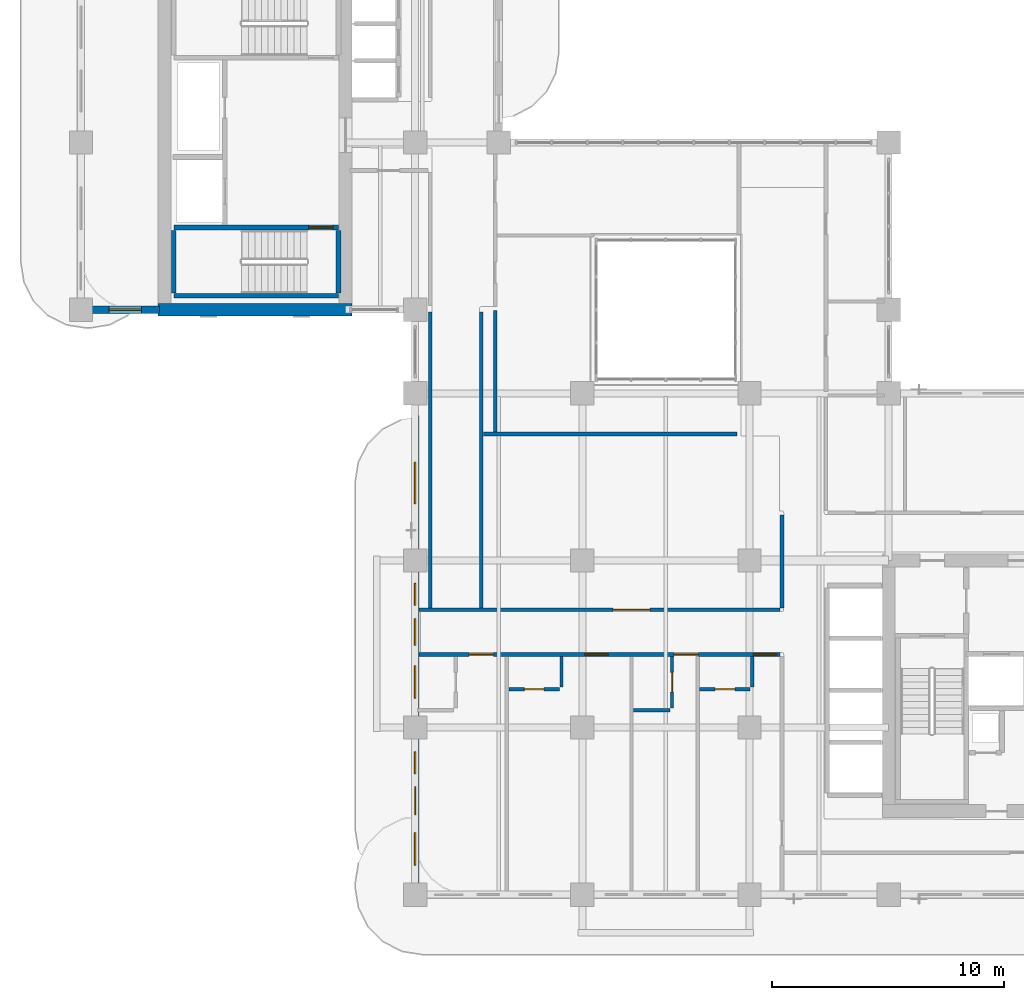
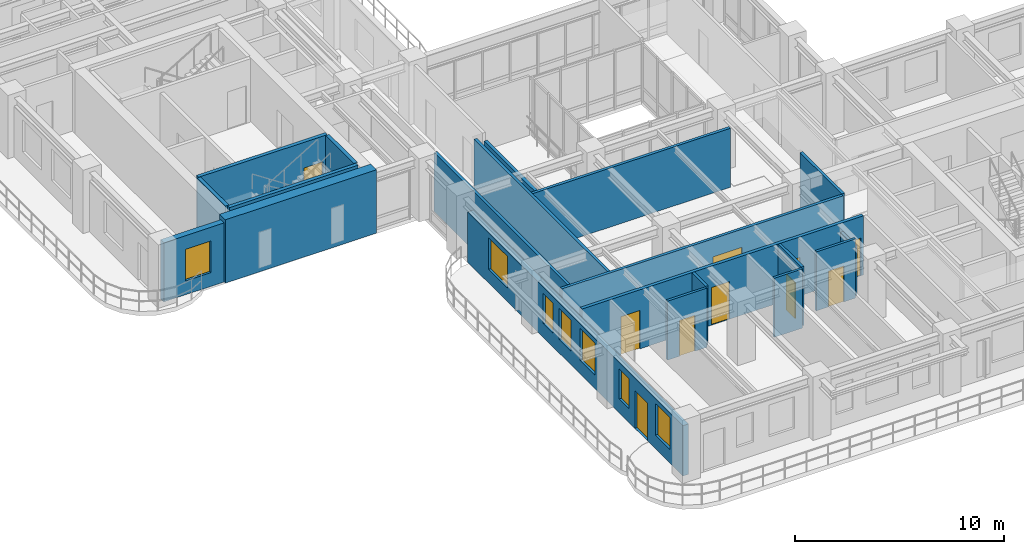
# One storey, part 11 of 20: 20 walls, 10 doors, 7 windows, 17 openings.
"""IFC4 building model written with IfcOpenShell, lengths in metres."""

from ifc_helpers import new_model, si_unit, derived_unit, direction, frame, frame_2d, origin, place, context, subcontext, project, spatial, rectangle, extrude, source, transform, mapped, material, layer, layer_set, type_object, type_shapes, element, fill, save


model = new_model("IFC4")

# Units and contexts
model_context = context("Model", 3, precision=1e-05, world=origin(), true_north=direction((0.0, 1.0)))
body_context = subcontext(model_context, "Body", "Model", "MODEL_VIEW")
ifc_project = project(units=[si_unit("LENGTHUNIT", "METRE"), si_unit("AREAUNIT", "SQUARE_METRE"), si_unit("VOLUMEUNIT", "CUBIC_METRE"), si_unit("PLANEANGLEUNIT", "RADIAN"), si_unit("MASSUNIT", "GRAM", prefix="KILO"), si_unit("THERMODYNAMICTEMPERATUREUNIT", "KELVIN"), si_unit("POWERUNIT", "WATT"), derived_unit("THERMALTRANSMITTANCEUNIT", [(si_unit("POWERUNIT", "WATT"), 1), (si_unit("AREAUNIT", "SQUARE_METRE"), -1), (si_unit("THERMODYNAMICTEMPERATUREUNIT", "KELVIN"), -1)])], contexts=[model_context])

# Site, building, storey
site_placement = place(None, origin())
site = spatial("IfcSite", under=ifc_project, at=site_placement, CompositionType="ELEMENT")
building_placement = place(site_placement, origin())
building = spatial("IfcBuilding", under=site, at=building_placement, Name="Zahravan Archway Hotel and Residences", CompositionType="ELEMENT")
storey_placement = place(building_placement, frame((0.0, 0.0, 122.89990234375)))
storey = spatial("IfcBuildingStorey", under=building, at=storey_placement, Name="L30", CompositionType="ELEMENT", Elevation=122.89990234375)

# Wall
ifc_material_1 = material(Name="Concrete C70/85", Category="concrete")
ifc_layer_1 = layer(ifc_material_1, 0.550048828125, Name="Concrete C70/85", Category="concrete")
ifc_layer_set_1 = layer_set([ifc_layer_1], Name="Concrete C70/85")
wall_type_1 = type_object("IfcWallType", Name="CW-CORE-550", PredefinedType="SHEAR", material=ifc_layer_set_1)
wall_1_placement = place(storey_placement, frame((3.324951171875, 25.199951171875, 0.0), z_axis=(0.0, 0.0, 1.0), x_axis=(1.0, 0.0, 0.0)))
element("IfcWall", 1, at=wall_1_placement, inside=storey, type_object=wall_type_1, Name="L30 Core B Shear S Wall 550 mm", PredefinedType="SHEAR", context=body_context, shape_type="SweptSolid", body=[
    extrude(rectangle(XDim=8.35009765625, YDim=0.550048828125, at=frame_2d((4.175048828125, 0.0))), origin(), (0.0, 0.0, 1.0), 3.7001953125),
])

# Wall, openings, door, windows
ifc_material_2 = material(Name="Agra Buff Sandstone & Insulated Backup", Category="masonry")
ifc_layer_2 = layer(ifc_material_2, 0.320068359375, Name="Agra Buff Sandstone & Insulated Backup", Category="masonry")
ifc_layer_set_2 = layer_set([ifc_layer_2], Name="Agra Buff Sandstone & Insulated Backup")
wall_type_2 = type_object("IfcWallType", Name="EW-SAND-320", PredefinedType="SOLIDWALL", material=ifc_layer_set_2)
wall_2_placement = place(storey_placement, frame((14.39990234375, 0.050048828125, 0.0), z_axis=(0.0, 0.0, 1.0), x_axis=(0.0, 1.0, 0.0)))
wall_2 = element("IfcWall", 2, at=wall_2_placement, inside=storey, type_object=wall_type_2, Name="L30 Exterior Sandstone Wall WA-WL", PredefinedType="SOLIDWALL", context=body_context, shape_type="SweptSolid", body=[
    extrude(rectangle(XDim=20.599853515625, YDim=0.320068359375, at=frame_2d((10.2998046875, 0.0))), origin(), (0.0, 0.0, 1.0), 2.93505859375),
])
opening_1_placement = place(wall_2_placement, frame((3.39990234375, 0.0, 0.0)))
opening_1 = element("IfcOpeningElement", 3, at=opening_1_placement, cuts=wall_2, Name="Opening ED-BL1", PredefinedType="OPENING", context=body_context, shape_type="SweptSolid", body=[
    extrude(rectangle(XDim=1.199951171875, YDim=2.199951171875, at=frame_2d((0.60009765625, 1.10009765625))), frame((0.0, 0.169921875, 0.0), z_axis=(0.0, -1.0, 0.0), x_axis=(1.0, 0.0, 0.0)), (0.0, 0.0, 1.0), 0.340087890625),
])
opening_2_placement = place(wall_2_placement, frame((1.22509765625, 0.0, 0.800048828125)))
opening_2 = element("IfcOpeningElement", 4, at=opening_2_placement, cuts=wall_2, Name="Opening W-03", PredefinedType="OPENING", context=body_context, shape_type="SweptSolid", body=[
    extrude(rectangle(XDim=1.39990234375, YDim=1.85009765625, at=frame_2d((0.699951171875, 0.925048828125))), frame((0.0, 0.169921875, 0.0), z_axis=(0.0, -1.0, 0.0), x_axis=(1.0, 0.0, 0.0)), (0.0, 0.0, 1.0), 0.340087890625),
])
opening_3_placement = place(wall_2_placement, frame((5.14990234375, 0.0, 0.800048828125)))
opening_3 = element("IfcOpeningElement", 5, at=opening_3_placement, cuts=wall_2, Name="Opening W-04", PredefinedType="OPENING", context=body_context, shape_type="SweptSolid", body=[
    extrude(rectangle(XDim=0.949951171875, YDim=1.75, at=frame_2d((0.47509765625, 0.875))), frame((0.0, 0.169921875, 0.0), z_axis=(0.0, -1.0, 0.0), x_axis=(1.0, 0.0, 0.0)), (0.0, 0.0, 1.0), 0.340087890625),
])
opening_4_placement = place(wall_2_placement, frame((8.4208984375, 0.0, 0.800048828125)))
opening_4 = element("IfcOpeningElement", 6, at=opening_4_placement, cuts=wall_2, Name="Opening W-03", PredefinedType="OPENING", context=body_context, shape_type="SweptSolid", body=[
    extrude(rectangle(XDim=1.39990234375, YDim=1.85009765625, at=frame_2d((0.699951171875, 0.925048828125))), frame((0.0, 0.169921875, 0.0), z_axis=(0.0, -1.0, 0.0), x_axis=(1.0, 0.0, 0.0)), (0.0, 0.0, 1.0), 0.340087890625),
])
opening_5_placement = place(wall_2_placement, frame((10.68505859375, 0.0, 0.800048828125)))
opening_5 = element("IfcOpeningElement", 7, at=opening_5_placement, cuts=wall_2, Name="Opening W-05", PredefinedType="OPENING", context=body_context, shape_type="SweptSolid", body=[
    extrude(rectangle(XDim=1.14990234375, YDim=1.800048828125, at=frame_2d((0.574951171875, 0.89990234375))), frame((0.0, 0.169921875, 0.0), z_axis=(0.0, -1.0, 0.0), x_axis=(1.0, 0.0, 0.0)), (0.0, 0.0, 1.0), 0.340087890625),
])
opening_6_placement = place(wall_2_placement, frame((12.4140625, 0.0, 0.800048828125)))
opening_6 = element("IfcOpeningElement", 8, at=opening_6_placement, cuts=wall_2, Name="Opening W-04", PredefinedType="OPENING", context=body_context, shape_type="SweptSolid", body=[
    extrude(rectangle(XDim=0.949951171875, YDim=1.75, at=frame_2d((0.47509765625, 0.875))), frame((0.0, 0.169921875, 0.0), z_axis=(0.0, -1.0, 0.0), x_axis=(1.0, 0.0, 0.0)), (0.0, 0.0, 1.0), 0.340087890625),
])
opening_7_placement = place(wall_2_placement, frame((16.7900390625, 0.0, 0.800048828125)))
opening_7 = element("IfcOpeningElement", 9, at=opening_7_placement, cuts=wall_2, Name="Opening W-02", PredefinedType="OPENING", context=body_context, shape_type="SweptSolid", body=[
    extrude(rectangle(XDim=1.800048828125, YDim=1.85009765625, at=frame_2d((0.89990234375, 0.925048828125))), frame((0.0, 0.169921875, 0.0), z_axis=(0.0, -1.0, 0.0), x_axis=(1.0, 0.0, 0.0)), (0.0, 0.0, 1.0), 0.340087890625),
])
ifc_material_3 = material(Name="Bronze-Anodized Glazed Aluminium", Category="aluminium")
door_type_1 = type_object("IfcDoorType", Name="ED-BALC-1200", OperationType="SLIDING_TO_LEFT", PredefinedType="DOOR", material=ifc_material_3)
shared_shape_1 = source(origin(), body_context, "Body", "SweptSolid", [
    extrude(rectangle(XDim=1.199951171875, YDim=2.199951171875, at=frame_2d((0.60009765625, 1.10009765625))), frame((0.0, 0.02490234375, 0.0), z_axis=(0.0, -1.0, 0.0), x_axis=(1.0, 0.0, 0.0)), (0.0, 0.0, 1.0), 0.050048828125),
])
type_shapes(door_type_1, [shared_shape_1])
door_1_placement = place(opening_1_placement, origin())
door_1 = element("IfcDoor", 10, at=door_1_placement, inside=storey, type_object=door_type_1, Name="L30 Outdoor Access Sliding Door (SLB-BAL-L30-WA)", OperationType="SLIDING_TO_LEFT", OverallHeight=2.199951171875, OverallWidth=1.199951171875, PredefinedType="DOOR", context=body_context, shape_type="MappedRepresentation", body=[
    mapped(shared_shape_1, transform((0.0, 0.0, 0.0), scale=1.0)),
])
fill(opening_1, door_1)
ifc_material_4 = material(Name="Bronze-Anodized Thermal-Break Aluminium & Low-E Glass", Category="aluminium")
window_type_1 = type_object("IfcWindowType", Name="WIN-TWR-1400", PartitioningType="SINGLE_PANEL", PredefinedType="WINDOW", material=ifc_material_4)
shared_shape_2 = source(origin(), body_context, "Body", "SweptSolid", [
    extrude(rectangle(XDim=1.39990234375, YDim=1.85009765625, at=frame_2d((0.699951171875, 0.925048828125))), frame((0.0, 0.030029296875, 0.0), z_axis=(0.0, -1.0, 0.0), x_axis=(1.0, 0.0, 0.0)), (0.0, 0.0, 1.0), 0.06005859375),
])
type_shapes(window_type_1, [shared_shape_2])
window_1_placement = place(opening_2_placement, origin())
window_1 = element("IfcWindow", 11, at=window_1_placement, inside=storey, type_object=window_type_1, Name="L30 Loggia Window 16", OverallHeight=1.85009765625, OverallWidth=1.39990234375, PartitioningType="SINGLE_PANEL", PredefinedType="WINDOW", context=body_context, shape_type="MappedRepresentation", body=[
    mapped(shared_shape_2, transform((0.0, 0.0, 0.0), scale=1.0)),
])
fill(opening_2, window_1)
window_2_placement = place(opening_4_placement, origin())
window_2 = element("IfcWindow", 12, at=window_2_placement, inside=storey, type_object=window_type_1, Name="L30 Loggia Window 18", OverallHeight=1.85009765625, OverallWidth=1.39990234375, PartitioningType="SINGLE_PANEL", PredefinedType="WINDOW", context=body_context, shape_type="MappedRepresentation", body=[
    mapped(shared_shape_2, transform((0.0, 0.0, 0.0), scale=1.0)),
])
fill(opening_4, window_2)
window_type_2 = type_object("IfcWindowType", Name="WIN-NAR-950", PartitioningType="SINGLE_PANEL", PredefinedType="WINDOW", material=ifc_material_4)
shared_shape_3 = source(origin(), body_context, "Body", "SweptSolid", [
    extrude(rectangle(XDim=0.949951171875, YDim=1.75, at=frame_2d((0.47509765625, 0.875))), frame((0.0, 0.030029296875, 0.0), z_axis=(0.0, -1.0, 0.0), x_axis=(1.0, 0.0, 0.0)), (0.0, 0.0, 1.0), 0.06005859375),
])
type_shapes(window_type_2, [shared_shape_3])
window_3_placement = place(opening_3_placement, origin())
window_3 = element("IfcWindow", 13, at=window_3_placement, inside=storey, type_object=window_type_2, Name="L30 Loggia Window 17", OverallHeight=1.75, OverallWidth=0.949951171875, PartitioningType="SINGLE_PANEL", PredefinedType="WINDOW", context=body_context, shape_type="MappedRepresentation", body=[
    mapped(shared_shape_3, transform((0.0, 0.0, 0.0), scale=1.0)),
])
fill(opening_3, window_3)
window_4_placement = place(opening_6_placement, origin())
window_4 = element("IfcWindow", 14, at=window_4_placement, inside=storey, type_object=window_type_2, Name="L30 Loggia Window 20", OverallHeight=1.75, OverallWidth=0.949951171875, PartitioningType="SINGLE_PANEL", PredefinedType="WINDOW", context=body_context, shape_type="MappedRepresentation", body=[
    mapped(shared_shape_3, transform((0.0, 0.0, 0.0), scale=1.0)),
])
fill(opening_6, window_4)
window_type_3 = type_object("IfcWindowType", Name="WIN-TWR-1800", PartitioningType="DOUBLE_PANEL_VERTICAL", PredefinedType="WINDOW", material=ifc_material_4)
shared_shape_4 = source(origin(), body_context, "Body", "SweptSolid", [
    extrude(rectangle(XDim=1.800048828125, YDim=1.85009765625, at=frame_2d((0.89990234375, 0.925048828125))), frame((0.0, 0.030029296875, 0.0), z_axis=(0.0, -1.0, 0.0), x_axis=(1.0, 0.0, 0.0)), (0.0, 0.0, 1.0), 0.06005859375),
])
type_shapes(window_type_3, [shared_shape_4])
window_5_placement = place(opening_7_placement, origin())
window_5 = element("IfcWindow", 15, at=window_5_placement, inside=storey, type_object=window_type_3, Name="L30 Loggia Window 21", OverallHeight=1.85009765625, OverallWidth=1.800048828125, PartitioningType="DOUBLE_PANEL_VERTICAL", PredefinedType="WINDOW", context=body_context, shape_type="MappedRepresentation", body=[
    mapped(shared_shape_4, transform((0.0, 0.0, 0.0), scale=1.0)),
])
fill(opening_7, window_5)
window_type_4 = type_object("IfcWindowType", Name="WIN-TWR-1150", PartitioningType="SINGLE_PANEL", PredefinedType="WINDOW", material=ifc_material_4)
shared_shape_5 = source(origin(), body_context, "Body", "SweptSolid", [
    extrude(rectangle(XDim=1.14990234375, YDim=1.800048828125, at=frame_2d((0.574951171875, 0.89990234375))), frame((0.0, 0.030029296875, 0.0), z_axis=(0.0, -1.0, 0.0), x_axis=(1.0, 0.0, 0.0)), (0.0, 0.0, 1.0), 0.06005859375),
])
type_shapes(window_type_4, [shared_shape_5])
window_6_placement = place(opening_5_placement, origin())
window_6 = element("IfcWindow", 16, at=window_6_placement, inside=storey, type_object=window_type_4, Name="L30 Loggia Window 19", OverallHeight=1.800048828125, OverallWidth=1.14990234375, PartitioningType="SINGLE_PANEL", PredefinedType="WINDOW", context=body_context, shape_type="MappedRepresentation", body=[
    mapped(shared_shape_5, transform((0.0, 0.0, 0.0), scale=1.0)),
])
fill(opening_5, window_6)

# Wall, opening, window
wall_3_placement = place(storey_placement, frame((0.0, 25.199951171875, 0.0), z_axis=(0.0, 0.0, 1.0), x_axis=(1.0, 0.0, 0.0)))
wall_3 = element("IfcWall", 17, at=wall_3_placement, inside=storey, type_object=wall_type_2, Name="L30 Exterior Sandstone Wall WB-SW", PredefinedType="SOLIDWALL", context=body_context, shape_type="SweptSolid", body=[
    extrude(rectangle(XDim=3.3798828125, YDim=0.320068359375, at=frame_2d((1.68994140625, 0.0))), origin(), (0.0, 0.0, 1.0), 3.4501953125),
])
opening_8_placement = place(wall_3_placement, frame((1.205078125, 0.0, 0.800048828125)))
opening_8 = element("IfcOpeningElement", 18, at=opening_8_placement, cuts=wall_3, Name="Opening W-03", PredefinedType="OPENING", context=body_context, shape_type="SweptSolid", body=[
    extrude(rectangle(XDim=1.39990234375, YDim=1.85009765625, at=frame_2d((0.699951171875, 0.925048828125))), frame((0.0, 0.169921875, 0.0), z_axis=(0.0, -1.0, 0.0), x_axis=(1.0, 0.0, 0.0)), (0.0, 0.0, 1.0), 0.340087890625),
])
window_7_placement = place(opening_8_placement, origin())
window_7 = element("IfcWindow", 19, at=window_7_placement, inside=storey, type_object=window_type_1, Name="L30 Loggia Window 22", OverallHeight=1.85009765625, OverallWidth=1.39990234375, PartitioningType="SINGLE_PANEL", PredefinedType="WINDOW", context=body_context, shape_type="MappedRepresentation", body=[
    mapped(shared_shape_2, transform((0.0, 0.0, 0.0), scale=1.0)),
])
fill(opening_8, window_7)

# Wall, opening, door
ifc_material_5 = material(Name="Fire-Rated Gypsum & Concrete Block", Category="concrete")
ifc_layer_3 = layer(ifc_material_5, 0.159912109375, Name="Fire-Rated Gypsum & Concrete Block", Category="concrete")
ifc_layer_set_3 = layer_set([ifc_layer_3], Name="Fire-Rated Gypsum & Concrete Block")
wall_type_3 = type_object("IfcWallType", Name="PW-CORR-160", PredefinedType="PARTITIONING", material=ifc_layer_set_3)
wall_4_placement = place(storey_placement, frame((14.568115234375, 12.27001953125, 0.0), z_axis=(0.0, 0.0, 1.0), x_axis=(1.0, 0.0, 0.0)))
wall_4 = element("IfcWall", 20, at=wall_4_placement, inside=storey, type_object=wall_type_3, Name="L30 Partition WA-CN", PredefinedType="PARTITIONING", context=body_context, shape_type="SweptSolid", body=[
    extrude(rectangle(XDim=15.5419921875, YDim=0.159912109375, at=frame_2d((7.77099609375, 0.0))), origin(), (0.0, 0.0, 1.0), 3.4501953125),
])
opening_9_placement = place(wall_4_placement, frame((8.35693359375, 0.0, 0.0)))
opening_9 = element("IfcOpeningElement", 21, at=opening_9_placement, cuts=wall_4, Name="Opening D-P2", PredefinedType="OPENING", context=body_context, shape_type="SweptSolid", body=[
    extrude(rectangle(XDim=1.60009765625, YDim=2.39990234375, at=frame_2d((0.800048828125, 1.199951171875))), frame((0.0, 0.08984375, 0.0), z_axis=(0.0, -1.0, 0.0), x_axis=(1.0, 0.0, 0.0)), (0.0, 0.0, 1.0), 0.179931640625),
])
door_type_2 = type_object("IfcDoorType", Name="ID-PUBLIC-1600", OperationType="DOUBLE_DOOR_SINGLE_SWING", PredefinedType="DOOR", material=ifc_material_3)
shared_shape_6 = source(origin(), body_context, "Body", "SweptSolid", [
    extrude(rectangle(XDim=1.60009765625, YDim=2.39990234375, at=frame_2d((0.800048828125, 1.199951171875))), frame((0.0, 0.02490234375, 0.0), z_axis=(0.0, -1.0, 0.0), x_axis=(1.0, 0.0, 0.0)), (0.0, 0.0, 1.0), 0.050048828125),
])
type_shapes(door_type_2, [shared_shape_6])
door_2_placement = place(opening_9_placement, origin())
door_2 = element("IfcDoor", 22, at=door_2_placement, inside=storey, type_object=door_type_2, Name="L30 Atrium Spa Door", OperationType="DOUBLE_DOOR_SINGLE_SWING", OverallHeight=2.39990234375, OverallWidth=1.60009765625, PredefinedType="DOOR", context=body_context, shape_type="MappedRepresentation", body=[
    mapped(shared_shape_6, transform((0.0, 0.0, 0.0), scale=1.0)),
])
fill(opening_9, door_2)

# Walls
wall_5_placement = place(storey_placement, frame((30.199951171875, 12.360107421875, 0.0), z_axis=(0.0, 0.0, 1.0), x_axis=(0.0, 1.0, 0.0)))
element("IfcWall", 23, at=wall_5_placement, inside=storey, type_object=wall_type_3, Name="L30 Partition WA-FW", PredefinedType="PARTITIONING", context=body_context, shape_type="SweptSolid", body=[
    extrude(rectangle(XDim=4.0, YDim=0.159912109375, at=frame_2d((2.0, 0.0))), origin(), (0.0, 0.0, 1.0), 3.4501953125),
])
for number, where, z_axis, x_axis, name in (
    (24, (15.050048828125, 12.360107421875, 0.0), (0.0, 0.0, 1.0), (0.0, 1.0, 0.0), "L30 Partition LNK-W"),
    (25, (17.25, 12.360107421875, 0.0), (0.0, 0.0, 1.0), (0.0, 1.0, 0.0), "L30 Partition LNK-E"),
):
    element("IfcWall", number, at=place(storey_placement, frame(where, z_axis=z_axis, x_axis=x_axis)), inside=storey, type_object=wall_type_3, Name=name, PredefinedType="PARTITIONING", context=body_context, shape_type="SweptSolid", body=[
        extrude(rectangle(XDim=12.75, YDim=0.159912109375, at=frame_2d((6.375, 0.0))), origin(), (0.0, 0.0, 1.0), 3.4501953125),
    ])
wall_6_placement = place(storey_placement, frame((17.340087890625, 19.85009765625, 0.0), z_axis=(0.0, 0.0, 1.0), x_axis=(1.0, 0.0, 0.0)))
element("IfcWall", 26, at=wall_6_placement, inside=storey, type_object=wall_type_3, Name="L30 Partition ATR-S", PredefinedType="PARTITIONING", context=body_context, shape_type="SweptSolid", body=[
    extrude(rectangle(XDim=10.919921875, YDim=0.159912109375, at=frame_2d((5.4599609375, 0.0))), origin(), (0.0, 0.0, 1.0), 3.4501953125),
])

# Wall, openings, doors
ifc_layer_4 = layer(ifc_material_5, 0.179931640625, Name="Fire-Rated Gypsum & Concrete Block", Category="concrete")
ifc_layer_set_4 = layer_set([ifc_layer_4], Name="Fire-Rated Gypsum & Concrete Block")
wall_type_4 = type_object("IfcWallType", Name="PW-CORR-180", PredefinedType="PARTITIONING", material=ifc_layer_set_4)
wall_7_placement = place(storey_placement, frame((14.568115234375, 10.35009765625, 0.0), z_axis=(0.0, 0.0, 1.0), x_axis=(1.0, 0.0, 0.0)))
wall_7 = element("IfcWall", 27, at=wall_7_placement, inside=storey, type_object=wall_type_4, Name="L30 Partition WA-CS", PredefinedType="PARTITIONING", context=body_context, shape_type="SweptSolid", body=[
    extrude(rectangle(XDim=15.5419921875, YDim=0.179931640625, at=frame_2d((7.77099609375, 0.0))), origin(), (0.0, 0.0, 1.0), 3.4501953125),
])
opening_10_placement = place(wall_7_placement, frame((2.156982421875, 0.0, 0.0)))
opening_10 = element("IfcOpeningElement", 28, at=opening_10_placement, cuts=wall_7, Name="Opening D-U1", PredefinedType="OPENING", context=body_context, shape_type="SweptSolid", body=[
    extrude(rectangle(XDim=1.050048828125, YDim=2.25, at=frame_2d((0.52490234375, 1.125))), frame((0.0, 0.10009765625, 0.0), z_axis=(0.0, -1.0, 0.0), x_axis=(1.0, 0.0, 0.0)), (0.0, 0.0, 1.0), 0.199951171875),
])
opening_11_placement = place(wall_7_placement, frame((7.14208984375, 0.0, 0.0)))
opening_11 = element("IfcOpeningElement", 29, at=opening_11_placement, cuts=wall_7, Name="Opening D-U2", PredefinedType="OPENING", context=body_context, shape_type="SweptSolid", body=[
    extrude(rectangle(XDim=1.0, YDim=2.199951171875, at=frame_2d((0.5, 1.10009765625))), frame((0.0, 0.10009765625, 0.0), z_axis=(0.0, -1.0, 0.0), x_axis=(1.0, 0.0, 0.0)), (0.0, 0.0, 1.0), 0.199951171875),
])
opening_12_placement = place(wall_7_placement, frame((10.987060546875, 0.0, 0.0)))
opening_12 = element("IfcOpeningElement", 30, at=opening_12_placement, cuts=wall_7, Name="Opening D-U1", PredefinedType="OPENING", context=body_context, shape_type="SweptSolid", body=[
    extrude(rectangle(XDim=1.050048828125, YDim=2.25, at=frame_2d((0.52490234375, 1.125))), frame((0.0, 0.10009765625, 0.0), z_axis=(0.0, -1.0, 0.0), x_axis=(1.0, 0.0, 0.0)), (0.0, 0.0, 1.0), 0.199951171875),
])
opening_13_placement = place(wall_7_placement, frame((14.402099609375, 0.0, 0.0)))
opening_13 = element("IfcOpeningElement", 31, at=opening_13_placement, cuts=wall_7, Name="Opening D-U2", PredefinedType="OPENING", context=body_context, shape_type="SweptSolid", body=[
    extrude(rectangle(XDim=1.0, YDim=2.199951171875, at=frame_2d((0.5, 1.10009765625))), frame((0.0, 0.10009765625, 0.0), z_axis=(0.0, -1.0, 0.0), x_axis=(1.0, 0.0, 0.0)), (0.0, 0.0, 1.0), 0.199951171875),
])
ifc_material_6 = material(Name="Hardwood Veneer Timber", Category="wood")
door_type_3 = type_object("IfcDoorType", Name="ID-UNIT-1050", OperationType="NOTDEFINED", PredefinedType="DOOR", material=ifc_material_6)
shared_shape_7 = source(origin(), body_context, "Body", "SweptSolid", [
    extrude(rectangle(XDim=1.050048828125, YDim=2.25, at=frame_2d((0.52490234375, 1.125))), frame((0.0, 0.02490234375, 0.0), z_axis=(0.0, -1.0, 0.0), x_axis=(1.0, 0.0, 0.0)), (0.0, 0.0, 1.0), 0.050048828125),
])
type_shapes(door_type_3, [shared_shape_7])
door_3_placement = place(opening_10_placement, origin())
door_3 = element("IfcDoor", 32, at=door_3_placement, inside=storey, type_object=door_type_3, Name="L30 Hotel Guestroom 40 Entrance Door", OperationType="SINGLE_SWING_RIGHT", OverallHeight=2.25, OverallWidth=1.050048828125, PredefinedType="DOOR", context=body_context, shape_type="MappedRepresentation", body=[
    mapped(shared_shape_7, transform((0.0, 0.0, 0.0), scale=1.0)),
])
fill(opening_10, door_3)
door_4_placement = place(opening_12_placement, origin())
door_4 = element("IfcDoor", 33, at=door_4_placement, inside=storey, type_object=door_type_3, Name="L30 Hotel Guestroom 42 Entrance Door", OperationType="SINGLE_SWING_RIGHT", OverallHeight=2.25, OverallWidth=1.050048828125, PredefinedType="DOOR", context=body_context, shape_type="MappedRepresentation", body=[
    mapped(shared_shape_7, transform((0.0, 0.0, 0.0), scale=1.0)),
])
fill(opening_12, door_4)
door_type_4 = type_object("IfcDoorType", Name="ID-UNIT-1000", OperationType="NOTDEFINED", PredefinedType="DOOR", material=ifc_material_6)
shared_shape_8 = source(origin(), body_context, "Body", "SweptSolid", [
    extrude(rectangle(XDim=1.0, YDim=2.199951171875, at=frame_2d((0.5, 1.10009765625))), frame((0.0, 0.02490234375, 0.0), z_axis=(0.0, -1.0, 0.0), x_axis=(1.0, 0.0, 0.0)), (0.0, 0.0, 1.0), 0.050048828125),
])
type_shapes(door_type_4, [shared_shape_8])
door_5_placement = place(opening_11_placement, origin())
door_5 = element("IfcDoor", 34, at=door_5_placement, inside=storey, type_object=door_type_4, Name="L30 Hotel Guestroom 41 Entrance Door", OperationType="SINGLE_SWING_RIGHT", OverallHeight=2.199951171875, OverallWidth=1.0, PredefinedType="DOOR", context=body_context, shape_type="MappedRepresentation", body=[
    mapped(shared_shape_8, transform((0.0, 0.0, 0.0), scale=1.0)),
])
fill(opening_11, door_5)
door_6_placement = place(opening_13_placement, origin())
door_6 = element("IfcDoor", 35, at=door_6_placement, inside=storey, type_object=door_type_4, Name="L30 Hotel Guestroom 43 Entrance Door", OperationType="SINGLE_SWING_RIGHT", OverallHeight=2.199951171875, OverallWidth=1.0, PredefinedType="DOOR", context=body_context, shape_type="MappedRepresentation", body=[
    mapped(shared_shape_8, transform((0.0, 0.0, 0.0), scale=1.0)),
])
fill(opening_13, door_6)

# Walls
ifc_material_7 = material(Name="Acoustic Stud Partition")
ifc_layer_5 = layer(ifc_material_7, 0.169921875, Name="Acoustic Stud Partition")
ifc_layer_set_5 = layer_set([ifc_layer_5], Name="Acoustic Stud Partition")
wall_type_5 = type_object("IfcWallType", Name="PW-UNIT-170", PredefinedType="PARTITIONING", material=ifc_layer_set_5)
wall_8_placement = place(storey_placement, frame((17.85009765625, 19.93994140625, 0.0), z_axis=(0.0, 0.0, 1.0), x_axis=(0.0, 1.0, 0.0)))
element("IfcWall", 36, at=wall_8_placement, inside=storey, type_object=wall_type_5, Name="L30 Partition ATR-NWSL", PredefinedType="PARTITIONING", context=body_context, shape_type="SweptSolid", body=[
    extrude(rectangle(XDim=5.219970703125, YDim=0.169921875, at=frame_2d((2.60986328125, 0.0))), origin(), (0.0, 0.0, 1.0), 3.10498046875),
])
ifc_material_8 = material(Name="Moisture-Resistant Blockwork", Category="masonry")
ifc_layer_6 = layer(ifc_material_8, 0.139892578125, Name="Moisture-Resistant Blockwork", Category="masonry")
ifc_layer_set_6 = layer_set([ifc_layer_6], Name="Moisture-Resistant Blockwork")
wall_type_6 = type_object("IfcWallType", Name="PW-WET-140", PredefinedType="PARTITIONING", material=ifc_layer_set_6)
wall_9_placement = place(storey_placement, frame((20.699951171875, 8.93994140625, 0.0), z_axis=(0.0, 0.0, 1.0), x_axis=(0.0, 1.0, 0.0)))
element("IfcWall", 37, at=wall_9_placement, inside=storey, type_object=wall_type_6, Name="L30 Partition HKB-V41", PredefinedType="PARTITIONING", context=body_context, shape_type="SweptSolid", body=[
    extrude(rectangle(XDim=1.320068359375, YDim=0.139892578125, at=frame_2d((0.66015625, 0.0))), origin(), (0.0, 0.0, 1.0), 3.4501953125),
])

# Wall, opening, door
wall_10_placement = place(storey_placement, frame((18.43994140625, 8.85009765625, 0.0), z_axis=(0.0, 0.0, 1.0), x_axis=(1.0, 0.0, 0.0)))
wall_10 = element("IfcWall", 38, at=wall_10_placement, inside=storey, type_object=wall_type_6, Name="L30 Partition HKB-H41", PredefinedType="PARTITIONING", context=body_context, shape_type="SweptSolid", body=[
    extrude(rectangle(XDim=2.170166015625, YDim=0.139892578125, at=frame_2d((1.0849609375, 0.0))), origin(), (0.0, 0.0, 1.0), 3.4501953125),
])
opening_14_placement = place(wall_10_placement, frame((0.659912109375, 0.0, 0.0)))
opening_14 = element("IfcOpeningElement", 39, at=opening_14_placement, cuts=wall_10, Name="Opening D-B1", PredefinedType="OPENING", context=body_context, shape_type="SweptSolid", body=[
    extrude(rectangle(XDim=0.85009765625, YDim=2.10009765625, at=frame_2d((0.425048828125, 1.050048828125))), frame((0.0, 0.080078125, 0.0), z_axis=(0.0, -1.0, 0.0), x_axis=(1.0, 0.0, 0.0)), (0.0, 0.0, 1.0), 0.159912109375),
])
door_type_5 = type_object("IfcDoorType", Name="ID-BATH-850", OperationType="NOTDEFINED", PredefinedType="DOOR", material=ifc_material_6)
shared_shape_9 = source(origin(), body_context, "Body", "SweptSolid", [
    extrude(rectangle(XDim=0.85009765625, YDim=2.10009765625, at=frame_2d((0.425048828125, 1.050048828125))), frame((0.0, 0.02490234375, 0.0), z_axis=(0.0, -1.0, 0.0), x_axis=(1.0, 0.0, 0.0)), (0.0, 0.0, 1.0), 0.050048828125),
])
type_shapes(door_type_5, [shared_shape_9])
door_7_placement = place(opening_14_placement, origin())
door_7 = element("IfcDoor", 40, at=door_7_placement, inside=storey, type_object=door_type_5, Name="L30 Guestroom 41 En-Suite Door", OperationType="SINGLE_SWING_LEFT", OverallHeight=2.10009765625, OverallWidth=0.85009765625, PredefinedType="DOOR", context=body_context, shape_type="MappedRepresentation", body=[
    mapped(shared_shape_9, transform((0.0, 0.0, 0.0), scale=1.0)),
])
fill(opening_14, door_7)

wall_11_placement = place(storey_placement, frame((25.469970703125, 8.0400390625, 0.0), z_axis=(0.0, 0.0, 1.0), x_axis=(0.0, 1.0, 0.0)))
wall_11 = element("IfcWall", 41, at=wall_11_placement, inside=storey, type_object=wall_type_6, Name="L30 Partition HKB-V42", PredefinedType="PARTITIONING", context=body_context, shape_type="SweptSolid", body=[
    extrude(rectangle(XDim=2.219970703125, YDim=0.139892578125, at=frame_2d((1.10986328125, 0.0))), origin(), (0.0, 0.0, 1.0), 3.4501953125),
])
opening_15_placement = place(wall_11_placement, frame((0.68505859375, 0.0, 0.0)))
opening_15 = element("IfcOpeningElement", 42, at=opening_15_placement, cuts=wall_11, Name="Opening D-B1", PredefinedType="OPENING", context=body_context, shape_type="SweptSolid", body=[
    extrude(rectangle(XDim=0.85009765625, YDim=2.10009765625, at=frame_2d((0.425048828125, 1.050048828125))), frame((0.0, 0.080078125, 0.0), z_axis=(0.0, -1.0, 0.0), x_axis=(1.0, 0.0, 0.0)), (0.0, 0.0, 1.0), 0.159912109375),
])
door_8_placement = place(opening_15_placement, origin())
door_8 = element("IfcDoor", 43, at=door_8_placement, inside=storey, type_object=door_type_5, Name="L30 Guestroom 42 En-Suite Door", OperationType="SINGLE_SWING_LEFT", OverallHeight=2.10009765625, OverallWidth=0.85009765625, PredefinedType="DOOR", context=body_context, shape_type="MappedRepresentation", body=[
    mapped(shared_shape_9, transform((0.0, 0.0, 0.0), scale=1.0)),
])
fill(opening_15, door_8)

# Walls
wall_12_placement = place(storey_placement, frame((23.81005859375, 7.949951171875, 0.0), z_axis=(0.0, 0.0, 1.0), x_axis=(1.0, 0.0, 0.0)))
element("IfcWall", 44, at=wall_12_placement, inside=storey, type_object=wall_type_6, Name="L30 Partition HKB-H42", PredefinedType="PARTITIONING", context=body_context, shape_type="SweptSolid", body=[
    extrude(rectangle(XDim=1.56982421875, YDim=0.139892578125, at=frame_2d((0.784912109375, 0.0))), origin(), (0.0, 0.0, 1.0), 3.4501953125),
])
wall_13_placement = place(storey_placement, frame((28.919921875, 8.93994140625, 0.0), z_axis=(0.0, 0.0, 1.0), x_axis=(0.0, 1.0, 0.0)))
element("IfcWall", 45, at=wall_13_placement, inside=storey, type_object=wall_type_6, Name="L30 Partition HKB-V43", PredefinedType="PARTITIONING", context=body_context, shape_type="SweptSolid", body=[
    extrude(rectangle(XDim=1.320068359375, YDim=0.139892578125, at=frame_2d((0.66015625, 0.0))), origin(), (0.0, 0.0, 1.0), 2.93505859375),
])

# Wall, opening, door
wall_14_placement = place(storey_placement, frame((26.659912109375, 8.85009765625, 0.0), z_axis=(0.0, 0.0, 1.0), x_axis=(1.0, 0.0, 0.0)))
wall_14 = element("IfcWall", 46, at=wall_14_placement, inside=storey, type_object=wall_type_6, Name="L30 Partition HKB-H43", PredefinedType="PARTITIONING", context=body_context, shape_type="SweptSolid", body=[
    extrude(rectangle(XDim=2.170166015625, YDim=0.139892578125, at=frame_2d((1.0849609375, 0.0))), origin(), (0.0, 0.0, 1.0), 3.4501953125),
])
opening_16_placement = place(wall_14_placement, frame((0.659912109375, 0.0, 0.0)))
opening_16 = element("IfcOpeningElement", 47, at=opening_16_placement, cuts=wall_14, Name="Opening D-B1", PredefinedType="OPENING", context=body_context, shape_type="SweptSolid", body=[
    extrude(rectangle(XDim=0.85009765625, YDim=2.10009765625, at=frame_2d((0.425048828125, 1.050048828125))), frame((0.0, 0.080078125, 0.0), z_axis=(0.0, -1.0, 0.0), x_axis=(1.0, 0.0, 0.0)), (0.0, 0.0, 1.0), 0.159912109375),
])
door_9_placement = place(opening_16_placement, origin())
door_9 = element("IfcDoor", 48, at=door_9_placement, inside=storey, type_object=door_type_5, Name="L30 Guestroom 43 En-Suite Door", OperationType="SINGLE_SWING_LEFT", OverallHeight=2.10009765625, OverallWidth=0.85009765625, PredefinedType="DOOR", context=body_context, shape_type="MappedRepresentation", body=[
    mapped(shared_shape_9, transform((0.0, 0.0, 0.0), scale=1.0)),
])
fill(opening_16, door_9)

# Walls
ifc_material_9 = material(Name="Concrete C50/60", Category="concrete")
ifc_layer_7 = layer(ifc_material_9, 0.199951171875, Name="Concrete C50/60", Category="concrete")
ifc_layer_set_7 = layer_set([ifc_layer_7], Name="Concrete C50/60")
wall_type_7 = type_object("IfcWallType", Name="SW-STAIR-200", PredefinedType="SHEAR", material=ifc_layer_set_7)
wall_15_placement = place(storey_placement, frame((4.0, 25.800048828125, 0.0), z_axis=(0.0, 0.0, 1.0), x_axis=(1.0, 0.0, 0.0)))
element("IfcWall", 49, at=wall_15_placement, inside=storey, type_object=wall_type_7, Name="L30 Stairwell RC Wall CB-SB1S", PredefinedType="SHEAR", context=body_context, shape_type="SweptSolid", body=[
    extrude(rectangle(XDim=7.10009765625, YDim=0.199951171875, at=frame_2d((3.550048828125, 0.0))), origin(), (0.0, 0.0, 1.0), 3.7001953125),
])
for number, where, z_axis, x_axis, name in (
    (50, (4.0, 25.919921875, 0.0), (0.0, 0.0, 1.0), (0.0, 1.0, 0.0), "L30 Stairwell RC Wall CB-SB1W"),
    (51, (11.10009765625, 25.919921875, 0.0), (0.0, 0.0, 1.0), (0.0, 1.0, 0.0), "L30 Stairwell RC Wall CB-SB1E"),
):
    element("IfcWall", number, at=place(storey_placement, frame(where, z_axis=z_axis, x_axis=x_axis)), inside=storey, type_object=wall_type_7, Name=name, PredefinedType="SHEAR", context=body_context, shape_type="SweptSolid", body=[
        extrude(rectangle(XDim=2.7001953125, YDim=0.199951171875, at=frame_2d((1.35009765625, 0.0))), origin(), (0.0, 0.0, 1.0), 3.7001953125),
    ])

# Wall, opening, door
wall_16_placement = place(storey_placement, frame((4.0, 28.739990234375, 0.0), z_axis=(0.0, 0.0, 1.0), x_axis=(1.0, 0.0, 0.0)))
wall_16 = element("IfcWall", 52, at=wall_16_placement, inside=storey, type_object=wall_type_7, Name="L30 Stairwell RC Wall CB-SB1N", PredefinedType="SHEAR", context=body_context, shape_type="SweptSolid", body=[
    extrude(rectangle(XDim=7.10009765625, YDim=0.199951171875, at=frame_2d((3.550048828125, 0.0))), origin(), (0.0, 0.0, 1.0), 3.7001953125),
])
opening_17_placement = place(wall_16_placement, frame((5.81494140625, 0.0, 0.0)))
opening_17 = element("IfcOpeningElement", 53, at=opening_17_placement, cuts=wall_16, Name="Opening FD-S1", PredefinedType="OPENING", context=body_context, shape_type="SweptSolid", body=[
    extrude(rectangle(XDim=1.050048828125, YDim=2.199951171875, at=frame_2d((0.52490234375, 1.10009765625))), frame((0.0, 0.10986328125, 0.0), z_axis=(0.0, -1.0, 0.0), x_axis=(1.0, 0.0, 0.0)), (0.0, 0.0, 1.0), 0.219970703125),
])
ifc_material_10 = material(Name="Fire-Rated Painted Steel", Category="steel")
door_type_6 = type_object("IfcDoorType", Name="FD-STAIR-1100", OperationType="NOTDEFINED", PredefinedType="DOOR", material=ifc_material_10)
shared_shape_10 = source(origin(), body_context, "Body", "SweptSolid", [
    extrude(rectangle(XDim=1.050048828125, YDim=2.199951171875, at=frame_2d((0.52490234375, 1.10009765625))), frame((0.0, 0.02490234375, 0.0), z_axis=(0.0, -1.0, 0.0), x_axis=(1.0, 0.0, 0.0)), (0.0, 0.0, 1.0), 0.050048828125),
])
type_shapes(door_type_6, [shared_shape_10])
door_10_placement = place(opening_17_placement, origin())
door_10 = element("IfcDoor", 54, at=door_10_placement, inside=storey, type_object=door_type_6, Name="L30 Stair ST-B1 Door", OperationType="SINGLE_SWING_RIGHT", OverallHeight=2.199951171875, OverallWidth=1.050048828125, PredefinedType="DOOR", context=body_context, shape_type="MappedRepresentation", body=[
    mapped(shared_shape_10, transform((0.0, 0.0, 0.0), scale=1.0)),
])
fill(opening_17, door_10)

save(model, "model.ifc")
